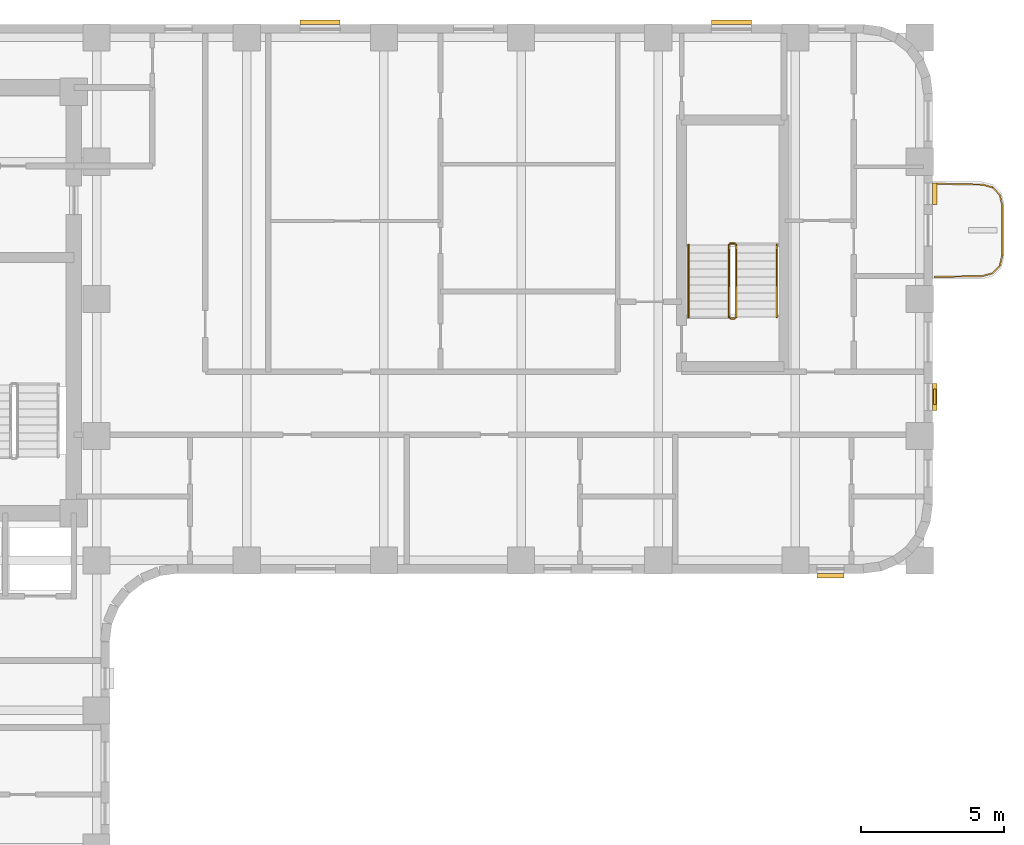
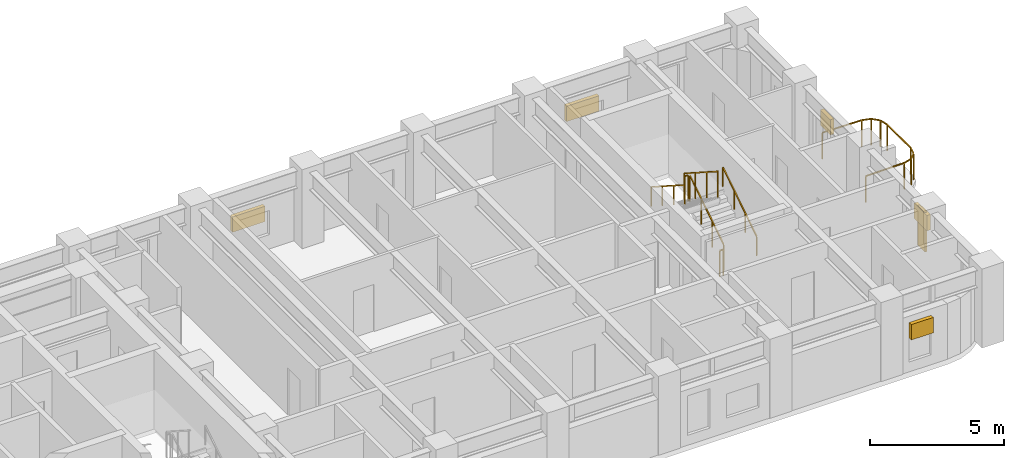
# One storey, part 9 of 9: 7 railings, 6 shading devices.
"""IFC4 building model written with IfcOpenShell, lengths in metres."""

from ifc_helpers import new_model, si_unit, direction, frame, origin, origin_2d, place, context, subcontext, project, spatial, rectangle, extrude, material, type_object, element, save


model = new_model("IFC4")

# Units and contexts
model_context = context("Model", 3, precision=1e-05, world=origin(), true_north=direction((0.0, 1.0)))
body_context = subcontext(model_context, "Body", "Model", "MODEL_VIEW")
ifc_project = project(units=[si_unit("LENGTHUNIT", "METRE"), si_unit("AREAUNIT", "SQUARE_METRE"), si_unit("VOLUMEUNIT", "CUBIC_METRE"), si_unit("PLANEANGLEUNIT", "RADIAN"), si_unit("MASSUNIT", "GRAM", prefix="KILO")], contexts=[model_context])

# Site, building, storey
site_placement = place(None, origin())
site = spatial("IfcSite", under=ifc_project, at=site_placement, CompositionType="ELEMENT")
building_placement = place(site_placement, origin())
building = spatial("IfcBuilding", under=site, at=building_placement, Name="Orvandelia Arch Residences", CompositionType="ELEMENT")
storey_placement = place(building_placement, frame((0.0, 0.0, 128.800048828125)))
storey = spatial("IfcBuildingStorey", under=building, at=storey_placement, Name="L33", CompositionType="ELEMENT", Elevation=128.800048828125)

# Railings
ifc_material_1 = material(Name="Marine-Grade Stainless Steel 316", Category="steel")
railing_type_1 = type_object("IfcRailingType", Name="GRD-BAL-1200", PredefinedType="BALUSTRADE", material=ifc_material_1)
railing_1_placement = place(storey_placement, frame((52.871826171875, 39.169677734375, 0.0)))
element("IfcRailing", 1, at=railing_1_placement, inside=storey, type_object=railing_type_1, Name="Safety Balustrade Guard GRD-L33-BAL-L33-E1-1", PredefinedType="BALUSTRADE", context=body_context, shape_type="SweptSolid", body=[
    extrude(rectangle(XDim=0.048095703125, YDim=0.048095703125, at=origin_2d()), frame((0.0, 0.0, 1.19580078125), z_axis=(0.999837384468, 0.018033430643, 0.0), x_axis=(-0.018033430643, 0.999837384468, 0.0)), (0.0, 0.0, 1.0), 1.6787109375),
    extrude(rectangle(XDim=0.048095703125, YDim=0.048095703125, at=origin_2d()), frame((1.678466796875, 0.0302734375, 1.19580078125), z_axis=(0.96348920644, 0.267747173792, 0.0), x_axis=(-0.267747173792, 0.96348920644, 0.0)), (0.0, 0.0, 1.0), 0.36572265625),
    extrude(rectangle(XDim=0.048095703125, YDim=0.048095703125, at=origin_2d()), frame((2.03076171875, 0.128173828125, 1.19580078125), z_axis=(0.687947031175, 0.725760898848, 0.0), x_axis=(-0.725760898848, 0.687947031175, 0.0)), (0.0, 0.0, 1.0), 0.367919921875),
    extrude(rectangle(XDim=0.048095703125, YDim=0.048095703125, at=origin_2d()), frame((2.283935546875, 0.395263671875, 1.19580078125), z_axis=(0.221225034864, 0.975222786828, 0.0), x_axis=(-0.975222786828, 0.221225034864, 0.0)), (0.0, 0.0, 1.0), 0.373046875),
    extrude(rectangle(XDim=0.048095703125, YDim=0.048095703125, at=origin_2d()), frame((2.366455078125, 0.759033203125, 1.19580078125), z_axis=(0.0, 1.0, 0.0), x_axis=(-1.0, 0.0, 0.0)), (0.0, 0.0, 1.0), 1.74267578125),
    extrude(rectangle(XDim=0.048095703125, YDim=0.048095703125, at=origin_2d()), frame((2.366455078125, 2.501708984375, 1.19580078125), z_axis=(-0.221225034864, 0.975222786828, 0.0), x_axis=(-0.975222786828, -0.221225034864, 0.0)), (0.0, 0.0, 1.0), 0.373046875),
    extrude(rectangle(XDim=0.048095703125, YDim=0.048095703125, at=origin_2d()), frame((2.283935546875, 2.865478515625, 1.19580078125), z_axis=(-0.688278345278, 0.725446703364, 0.0), x_axis=(-0.725446703364, -0.688278345278, 0.0)), (0.0, 0.0, 1.0), 0.367919921875),
    extrude(rectangle(XDim=0.048095703125, YDim=0.048095703125, at=origin_2d()), frame((2.03076171875, 3.13232421875, 1.19580078125), z_axis=(-0.96348920644, 0.267747173792, 0.0), x_axis=(-0.267747173792, -0.96348920644, 0.0)), (0.0, 0.0, 1.0), 0.36572265625),
    extrude(rectangle(XDim=0.048095703125, YDim=0.048095703125, at=origin_2d()), frame((1.678466796875, 3.230224609375, 1.19580078125), z_axis=(-0.999834751713, 0.018178813668, 0.0), x_axis=(-0.018178813668, -0.999834751713, 0.0)), (0.0, 0.0, 1.0), 1.6787109375),
    extrude(rectangle(XDim=0.0419921875, YDim=0.0419921875, at=origin_2d()), origin(), (0.0, 0.0, 1.0), 1.171875),
    extrude(rectangle(XDim=0.0419921875, YDim=0.0419921875, at=origin_2d()), frame((1.678466796875, 0.0302734375, 0.0)), (0.0, 0.0, 1.0), 1.171875),
    extrude(rectangle(XDim=0.0419921875, YDim=0.0419921875, at=origin_2d()), frame((2.03076171875, 0.128173828125, 0.0)), (0.0, 0.0, 1.0), 1.171875),
    extrude(rectangle(XDim=0.0419921875, YDim=0.0419921875, at=origin_2d()), frame((2.283935546875, 0.395263671875, 0.0)), (0.0, 0.0, 1.0), 1.171875),
    extrude(rectangle(XDim=0.0419921875, YDim=0.0419921875, at=origin_2d()), frame((2.366455078125, 0.759033203125, 0.0)), (0.0, 0.0, 1.0), 1.171875),
    extrude(rectangle(XDim=0.0419921875, YDim=0.0419921875, at=origin_2d()), frame((2.366455078125, 2.501708984375, 0.0)), (0.0, 0.0, 1.0), 1.171875),
    extrude(rectangle(XDim=0.0419921875, YDim=0.0419921875, at=origin_2d()), frame((2.283935546875, 2.865478515625, 0.0)), (0.0, 0.0, 1.0), 1.171875),
    extrude(rectangle(XDim=0.0419921875, YDim=0.0419921875, at=origin_2d()), frame((2.03076171875, 3.13232421875, 0.0)), (0.0, 0.0, 1.0), 1.171875),
    extrude(rectangle(XDim=0.0419921875, YDim=0.0419921875, at=origin_2d()), frame((1.678466796875, 3.230224609375, 0.0)), (0.0, 0.0, 1.0), 1.171875),
    extrude(rectangle(XDim=0.0419921875, YDim=0.0419921875, at=origin_2d()), frame((0.0, 3.2607421875, 0.0)), (0.0, 0.0, 1.0), 1.171875),
])
ifc_material_2 = material(Name="Brushed Stainless Steel 304", Category="steel")
railing_type_2 = type_object("IfcRailingType", Name="RL-STAIR-GD1120", PredefinedType="GUARDRAIL", material=ifc_material_2)
railing_2_placement = place(storey_placement, frame((45.929931640625, 37.77001953125, 0.179931640625)))
element("IfcRailing", 2, at=railing_2_placement, inside=storey, type_object=railing_type_2, Name="L33 ST-3 stair guard 1", PredefinedType="GUARDRAIL", context=body_context, shape_type="SweptSolid", body=[
    extrude(rectangle(XDim=0.048095703125, YDim=0.048095703125, at=origin_2d()), frame((0.0, 0.0, 1.17578125), z_axis=(0.0, 0.841162588446, 0.540782303519), x_axis=(-1.0, 0.0, 0.0)), (0.0, 0.0, 1.0), 2.995849609375),
    extrude(rectangle(XDim=0.0419921875, YDim=0.0419921875, at=origin_2d()), origin(), (0.0, 0.0, 1.0), 1.15185546875),
    extrude(rectangle(XDim=0.0419921875, YDim=0.0419921875, at=origin_2d()), frame((0.0, 0.840087890625, 0.5400390625)), (0.0, 0.0, 1.0), 1.15185546875),
    extrude(rectangle(XDim=0.0419921875, YDim=0.0419921875, at=origin_2d()), frame((0.0, 1.679931640625, 1.080078125)), (0.0, 0.0, 1.0), 1.15185546875),
    extrude(rectangle(XDim=0.0419921875, YDim=0.0419921875, at=origin_2d()), frame((0.0, 2.52001953125, 1.6201171875)), (0.0, 0.0, 1.0), 1.15185546875),
])
railing_3_placement = place(storey_placement, frame((45.8798828125, 40.340087890625, 1.800048828125)))
element("IfcRailing", 3, at=railing_3_placement, inside=storey, type_object=railing_type_2, Name="L33 ST-3 stair guard 2", PredefinedType="GUARDRAIL", context=body_context, shape_type="SweptSolid", body=[
    extrude(rectangle(XDim=0.048095703125, YDim=0.048095703125, at=origin_2d()), frame((0.0, 0.0, 1.17578125), z_axis=(-1.0, 0.0, 0.0), x_axis=(0.0, -1.0, 0.0)), (0.0, 0.0, 1.0), 0.14990234375),
    extrude(rectangle(XDim=0.0419921875, YDim=0.0419921875, at=origin_2d()), origin(), (0.0, 0.0, 1.0), 1.15185546875),
    extrude(rectangle(XDim=0.0419921875, YDim=0.0419921875, at=origin_2d()), frame((-0.14990234375, 0.0, 0.0)), (0.0, 0.0, 1.0), 1.15185546875),
])
railing_4_placement = place(storey_placement, frame((45.679931640625, 40.2900390625, 1.97998046875)))
element("IfcRailing", 4, at=railing_4_placement, inside=storey, type_object=railing_type_2, Name="L33 ST-3 stair guard 3", PredefinedType="GUARDRAIL", context=body_context, shape_type="SweptSolid", body=[
    extrude(rectangle(XDim=0.048095703125, YDim=0.048095703125, at=origin_2d()), frame((0.0, 0.0, 1.17578125), z_axis=(0.0, -0.841199657755, 0.540724639528), x_axis=(1.0, 0.0, 0.0)), (0.0, 0.0, 1.0), 2.995849609375),
    extrude(rectangle(XDim=0.0419921875, YDim=0.0419921875, at=origin_2d()), origin(), (0.0, 0.0, 1.0), 1.15185546875),
    extrude(rectangle(XDim=0.0419921875, YDim=0.0419921875, at=origin_2d()), frame((0.0, -0.840087890625, 0.5400390625)), (0.0, 0.0, 1.0), 1.15185546875),
    extrude(rectangle(XDim=0.0419921875, YDim=0.0419921875, at=origin_2d()), frame((0.0, -1.679931640625, 1.079833984375)), (0.0, 0.0, 1.0), 1.15185546875),
    extrude(rectangle(XDim=0.0419921875, YDim=0.0419921875, at=origin_2d()), frame((0.0, -2.52001953125, 1.619873046875)), (0.0, 0.0, 1.0), 1.15185546875),
])
railing_5_placement = place(storey_placement, frame((45.8798828125, 37.719970703125, 0.0)))
element("IfcRailing", 5, at=railing_5_placement, inside=storey, type_object=railing_type_2, Name="L33 ST-3 stair guard 4", PredefinedType="GUARDRAIL", context=body_context, shape_type="SweptSolid", body=[
    extrude(rectangle(XDim=0.048095703125, YDim=0.048095703125, at=origin_2d()), frame((0.0, 0.0, 1.17578125), z_axis=(-1.0, 0.0, 0.0), x_axis=(0.0, -1.0, 0.0)), (0.0, 0.0, 1.0), 0.14990234375),
    extrude(rectangle(XDim=0.0419921875, YDim=0.0419921875, at=origin_2d()), origin(), (0.0, 0.0, 1.0), 1.15185546875),
    extrude(rectangle(XDim=0.0419921875, YDim=0.0419921875, at=origin_2d()), frame((-0.14990234375, 0.0, 0.0)), (0.0, 0.0, 1.0), 1.15185546875),
])
railing_type_3 = type_object("IfcRailingType", Name="RL-STAIR-HR920", PredefinedType="HANDRAIL", material=ifc_material_2)
railing_6_placement = place(storey_placement, frame((47.35009765625, 37.77001953125, 0.35986328125)))
element("IfcRailing", 6, at=railing_6_placement, inside=storey, type_object=railing_type_3, Name="L33 ST-3 stair handrail 1", PredefinedType="HANDRAIL", context=body_context, shape_type="SweptSolid", body=[
    extrude(rectangle(XDim=0.048095703125, YDim=0.048095703125, at=origin_2d()), frame((0.0, 0.0, 0.8759765625), z_axis=(0.0, 0.841162588446, 0.540782303519), x_axis=(-1.0, 0.0, 0.0)), (0.0, 0.0, 1.0), 2.995849609375),
    extrude(rectangle(XDim=0.0419921875, YDim=0.0419921875, at=origin_2d()), origin(), (0.0, 0.0, 1.0), 0.851806640625),
    extrude(rectangle(XDim=0.0419921875, YDim=0.0419921875, at=origin_2d()), frame((0.0, 0.840087890625, 0.5400390625)), (0.0, 0.0, 1.0), 0.851806640625),
    extrude(rectangle(XDim=0.0419921875, YDim=0.0419921875, at=origin_2d()), frame((0.0, 1.679931640625, 1.080078125)), (0.0, 0.0, 1.0), 0.851806640625),
    extrude(rectangle(XDim=0.0419921875, YDim=0.0419921875, at=origin_2d()), frame((0.0, 2.52001953125, 1.6201171875)), (0.0, 0.0, 1.0), 0.851806640625),
])
railing_7_placement = place(storey_placement, frame((44.260009765625, 40.2900390625, 2.159912109375)))
element("IfcRailing", 7, at=railing_7_placement, inside=storey, type_object=railing_type_3, Name="L33 ST-3 stair handrail 2", PredefinedType="HANDRAIL", context=body_context, shape_type="SweptSolid", body=[
    extrude(rectangle(XDim=0.048095703125, YDim=0.048095703125, at=origin_2d()), frame((0.0, 0.0, 0.8759765625), z_axis=(0.0, -0.841162588446, 0.540782303519), x_axis=(1.0, 0.0, 0.0)), (0.0, 0.0, 1.0), 2.995849609375),
    extrude(rectangle(XDim=0.0419921875, YDim=0.0419921875, at=origin_2d()), origin(), (0.0, 0.0, 1.0), 0.851806640625),
    extrude(rectangle(XDim=0.0419921875, YDim=0.0419921875, at=origin_2d()), frame((0.0, -0.840087890625, 0.5400390625)), (0.0, 0.0, 1.0), 0.851806640625),
    extrude(rectangle(XDim=0.0419921875, YDim=0.0419921875, at=origin_2d()), frame((0.0, -1.679931640625, 1.080078125)), (0.0, 0.0, 1.0), 0.851806640625),
    extrude(rectangle(XDim=0.0419921875, YDim=0.0419921875, at=origin_2d()), frame((0.0, -2.52001953125, 1.6201171875)), (0.0, 0.0, 1.0), 0.851806640625),
])

# Shading devices
ifc_material_3 = material(Name="Anodised Champagne-Bronze Extruded Aluminium", Category="aluminium")
shading_device_type_1 = type_object("IfcShadingDeviceType", Name="SHD-JALOUSIE-SCREEN", PredefinedType="JALOUSIE", material=ifc_material_3)
for number, where, z_axis, x_axis, name in (
    (8, (45.762451171875, 48.080078125, 1.0498046875), (0.0, 0.0, 1.0), (1.0, 0.0, 0.0), "Bronze Jalousie Sun-Shade L33-001"),
    (9, (31.367431640625, 48.080078125, 1.0498046875), (0.0, 0.0, 1.0), (1.0, 0.0, 0.0), "Bronze Jalousie Sun-Shade L33-002"),
):
    element("IfcShadingDevice", number, at=place(storey_placement, frame(where, z_axis=z_axis, x_axis=x_axis)), inside=storey, type_object=shading_device_type_1, Name=name, PredefinedType="JALOUSIE", context=body_context, shape_type="SweptSolid", body=[
        extrude(rectangle(XDim=1.39990234375, YDim=0.159912109375, at=origin_2d()), origin(), (0.0, 0.0, 1.0), 0.699951171875),
    ])
shading_device_1_placement = place(storey_placement, frame((52.8798828125, 34.972412109375, 1.5498046875), z_axis=(0.0, 0.0, 1.0), x_axis=(0.0, -1.0, 0.0)))
element("IfcShadingDevice", 10, at=shading_device_1_placement, inside=storey, type_object=shading_device_type_1, Name="Bronze Jalousie Sun-Shade L33-003", PredefinedType="JALOUSIE", context=body_context, shape_type="SweptSolid", body=[
    extrude(rectangle(XDim=0.949951171875, YDim=0.159912109375, at=origin_2d()), origin(), (0.0, 0.0, 1.0), 0.699951171875),
])
shading_device_2_placement = place(storey_placement, frame((52.8798828125, 42.077392578125, 1.5498046875), z_axis=(0.0, 0.0, 1.0), x_axis=(0.0, -1.0, 0.0)))
element("IfcShadingDevice", 11, at=shading_device_2_placement, inside=storey, type_object=shading_device_type_1, Name="Bronze Jalousie Sun-Shade L33-004", PredefinedType="JALOUSIE", context=body_context, shape_type="SweptSolid", body=[
    extrude(rectangle(XDim=0.75, YDim=0.159912109375, at=origin_2d()), origin(), (0.0, 0.0, 1.0), 0.699951171875),
])
shading_device_3_placement = place(storey_placement, frame((49.2275390625, 28.719970703125, 1.5498046875), z_axis=(0.0, 0.0, 1.0), x_axis=(-1.0, 0.0, 0.0)))
element("IfcShadingDevice", 12, at=shading_device_3_placement, inside=storey, type_object=shading_device_type_1, Name="Bronze Jalousie Sun-Shade L33-005", PredefinedType="JALOUSIE", context=body_context, shape_type="SweptSolid", body=[
    extrude(rectangle(XDim=0.949951171875, YDim=0.159912109375, at=origin_2d()), origin(), (0.0, 0.0, 1.0), 0.699951171875),
])
ifc_material_4 = material(Name="Marine-Grade Perforated Aluminium Storm Shutter", Category="aluminium")
shading_device_type_2 = type_object("IfcShadingDeviceType", Name="SHD-STORM-SHUTTER", PredefinedType="SHUTTER", material=ifc_material_4)
shading_device_4_placement = place(storey_placement, frame((52.8798828125, 34.972412109375, 0.44970703125), z_axis=(0.0, 0.0, 1.0), x_axis=(0.0, -1.0, 0.0)))
element("IfcShadingDevice", 13, at=shading_device_4_placement, inside=storey, type_object=shading_device_type_2, Name="Operable Typhoon Storm Shutter L33-003", PredefinedType="SHUTTER", context=body_context, shape_type="SweptSolid", body=[
    extrude(rectangle(XDim=0.550048828125, YDim=0.080078125, at=origin_2d()), origin(), (0.0, 0.0, 1.0), 1.800048828125),
])

save(model, "model.ifc")
